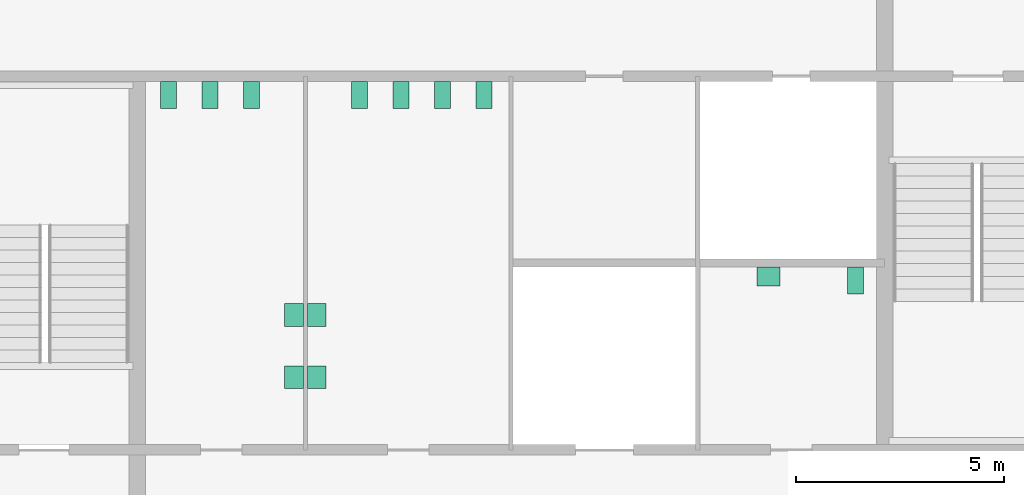
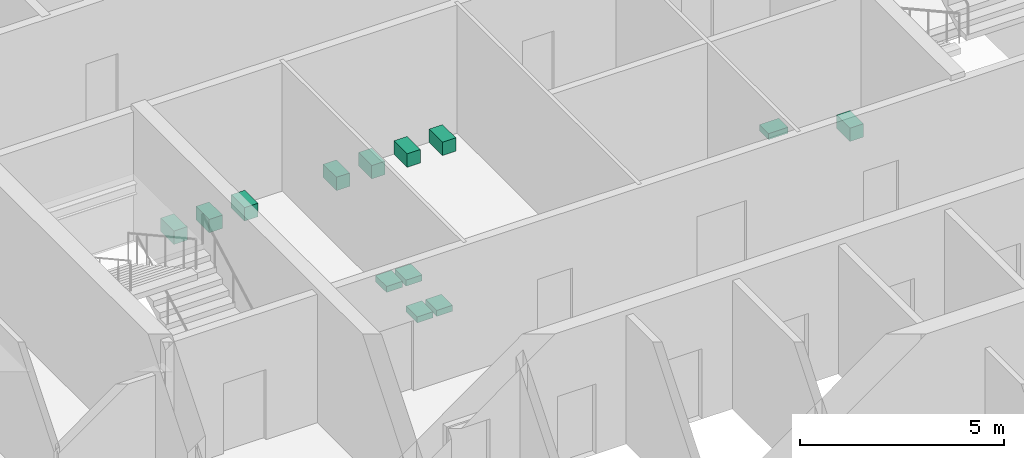
# One storey, part 12 of 12: 13 sanitary terminals.
"""IFC4 building model written with IfcOpenShell, lengths in metres."""

from ifc_helpers import new_model, si_unit, direction, frame, origin, origin_2d, place, context, subcontext, project, spatial, rectangle, extrude, material, type_object, element, save


model = new_model("IFC4")

# Units and contexts
model_context = context("Model", 3, precision=1e-05, world=origin(), true_north=direction((0.0, 1.0)))
body_context = subcontext(model_context, "Body", "Model", "MODEL_VIEW")
ifc_project = project(units=[si_unit("LENGTHUNIT", "METRE"), si_unit("AREAUNIT", "SQUARE_METRE"), si_unit("VOLUMEUNIT", "CUBIC_METRE"), si_unit("PLANEANGLEUNIT", "RADIAN"), si_unit("MASSUNIT", "GRAM", prefix="KILO")], contexts=[model_context])

# Site, building, storey
site_placement = place(None, origin())
site = spatial("IfcSite", under=ifc_project, at=site_placement, CompositionType="ELEMENT")
building_placement = place(site_placement, origin())
building = spatial("IfcBuilding", under=site, at=building_placement, Name="Corais Broadcast Tower", CompositionType="ELEMENT")
storey_placement = place(building_placement, frame((0.0, 0.0, 139.60009765625)))
storey = spatial("IfcBuildingStorey", under=building, at=storey_placement, Name="L31", CompositionType="ELEMENT", Elevation=139.60009765625)

# Sanitary terminals
ifc_material_1 = material(Name="Vitreous china", Category="ceramic")
sanitary_terminal_type_1 = type_object("IfcSanitaryTerminalType", Name="WC pan 380x650", PredefinedType="TOILETPAN", material=ifc_material_1)
for number, where, z_axis, x_axis, name in (
    (1, (18.75, 31.050048828125, 0.0), (0.0, 0.0, 1.0), (1.0, 0.0, 0.0), "SW1 WC pan, male toilets L31"),
    (2, (19.75, 31.050048828125, 0.0), (0.0, 0.0, 1.0), (1.0, 0.0, 0.0), "SW1 WC pan, male toilets L31"),
    (3, (20.75, 31.050048828125, 0.0), (0.0, 0.0, 1.0), (1.0, 0.0, 0.0), "SW1 WC pan, male toilets L31"),
    (4, (23.35009765625, 31.050048828125, 0.0), (0.0, 0.0, 1.0), (1.0, 0.0, 0.0), "SW1 WC pan, female toilets L31"),
    (5, (24.35009765625, 31.050048828125, 0.0), (0.0, 0.0, 1.0), (1.0, 0.0, 0.0), "SW1 WC pan, female toilets L31"),
    (6, (25.35009765625, 31.050048828125, 0.0), (0.0, 0.0, 1.0), (1.0, 0.0, 0.0), "SW1 WC pan, female toilets L31"),
    (7, (26.35009765625, 31.050048828125, 0.0), (0.0, 0.0, 1.0), (1.0, 0.0, 0.0), "SW1 WC pan, female toilets L31"),
    (8, (35.300048828125, 26.574951171875, 0.0), (0.0, 0.0, 1.0), (1.0, 0.0, 0.0), "SW1 WC pan, accessible WC L31"),
):
    element("IfcSanitaryTerminal", number, at=place(storey_placement, frame(where, z_axis=z_axis, x_axis=x_axis)), inside=storey, type_object=sanitary_terminal_type_1, Name=name, PredefinedType="TOILETPAN", context=body_context, shape_type="SweptSolid", body=[
        extrude(rectangle(XDim=0.3798828125, YDim=0.64990234375, at=origin_2d()), origin(), (0.0, 0.0, 1.0), 0.39990234375),
    ])
ifc_material_2 = material(Name="Vitreous china", Category="ceramic")
sanitary_terminal_type_2 = type_object("IfcSanitaryTerminalType", Name="Wash basin 550x450", PredefinedType="WASHHANDBASIN", material=ifc_material_2)
for number, where, z_axis, x_axis, name in (
    (9, (21.77490234375, 24.25, 0.69970703125), (0.0, 0.0, 1.0), (1.0, 0.0, 0.0), "WB1 wash basin, male toilets L31"),
    (10, (21.77490234375, 25.75, 0.69970703125), (0.0, 0.0, 1.0), (1.0, 0.0, 0.0), "WB1 wash basin, male toilets L31"),
    (11, (22.324951171875, 24.25, 0.69970703125), (0.0, 0.0, 1.0), (1.0, 0.0, 0.0), "WB1 wash basin, female toilets L31"),
    (12, (22.324951171875, 25.75, 0.69970703125), (0.0, 0.0, 1.0), (1.0, 0.0, 0.0), "WB1 wash basin, female toilets L31"),
):
    element("IfcSanitaryTerminal", number, at=place(storey_placement, frame(where, z_axis=z_axis, x_axis=x_axis)), inside=storey, type_object=sanitary_terminal_type_2, Name=name, PredefinedType="WASHHANDBASIN", context=body_context, shape_type="SweptSolid", body=[
        extrude(rectangle(XDim=0.449951171875, YDim=0.550048828125, at=origin_2d()), origin(), (0.0, 0.0, 1.0), 0.179931640625),
    ])
sanitary_terminal_placement = place(storey_placement, frame((33.199951171875, 26.675048828125, 0.69970703125), z_axis=(0.0, 0.0, 1.0), x_axis=(1.0, 0.0, 0.0)))
element("IfcSanitaryTerminal", 13, at=sanitary_terminal_placement, inside=storey, type_object=sanitary_terminal_type_2, Name="WB1 wash basin, accessible WC L31", PredefinedType="WASHHANDBASIN", context=body_context, shape_type="SweptSolid", body=[
    extrude(rectangle(XDim=0.550048828125, YDim=0.449951171875, at=origin_2d()), origin(), (0.0, 0.0, 1.0), 0.179931640625),
])

save(model, "model.ifc")
